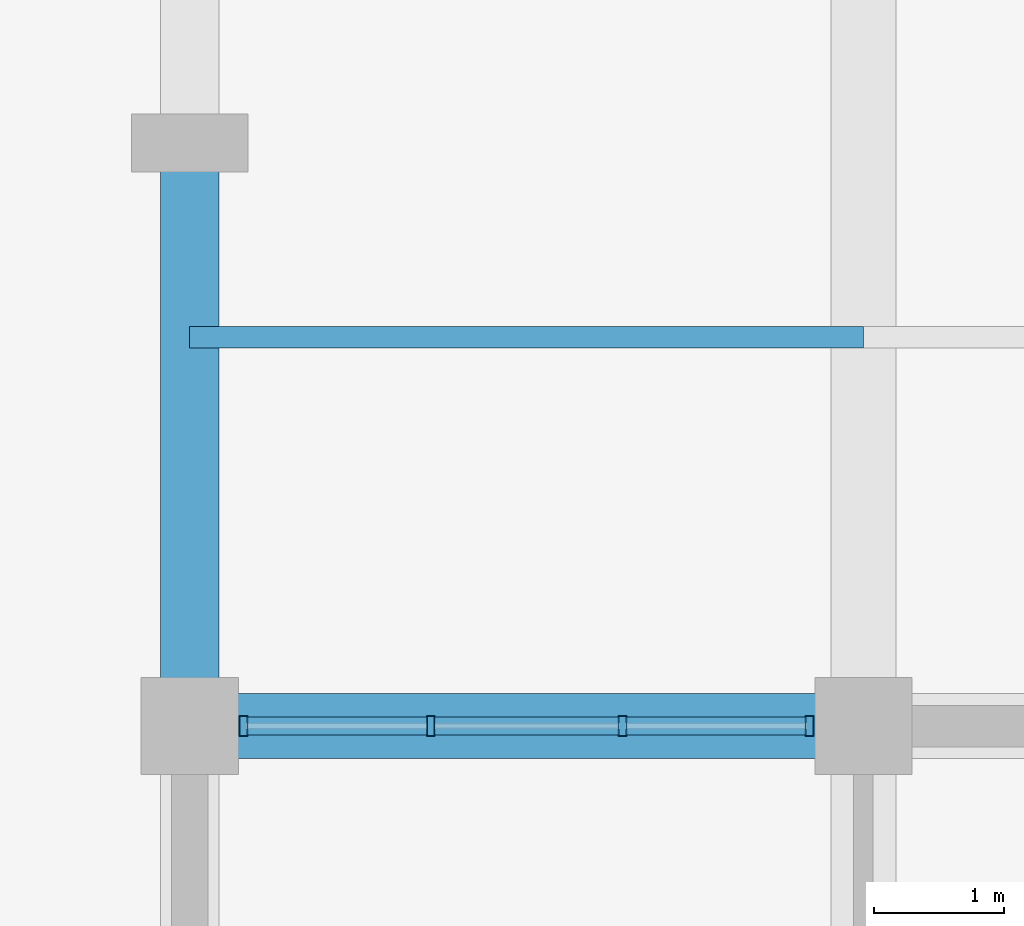
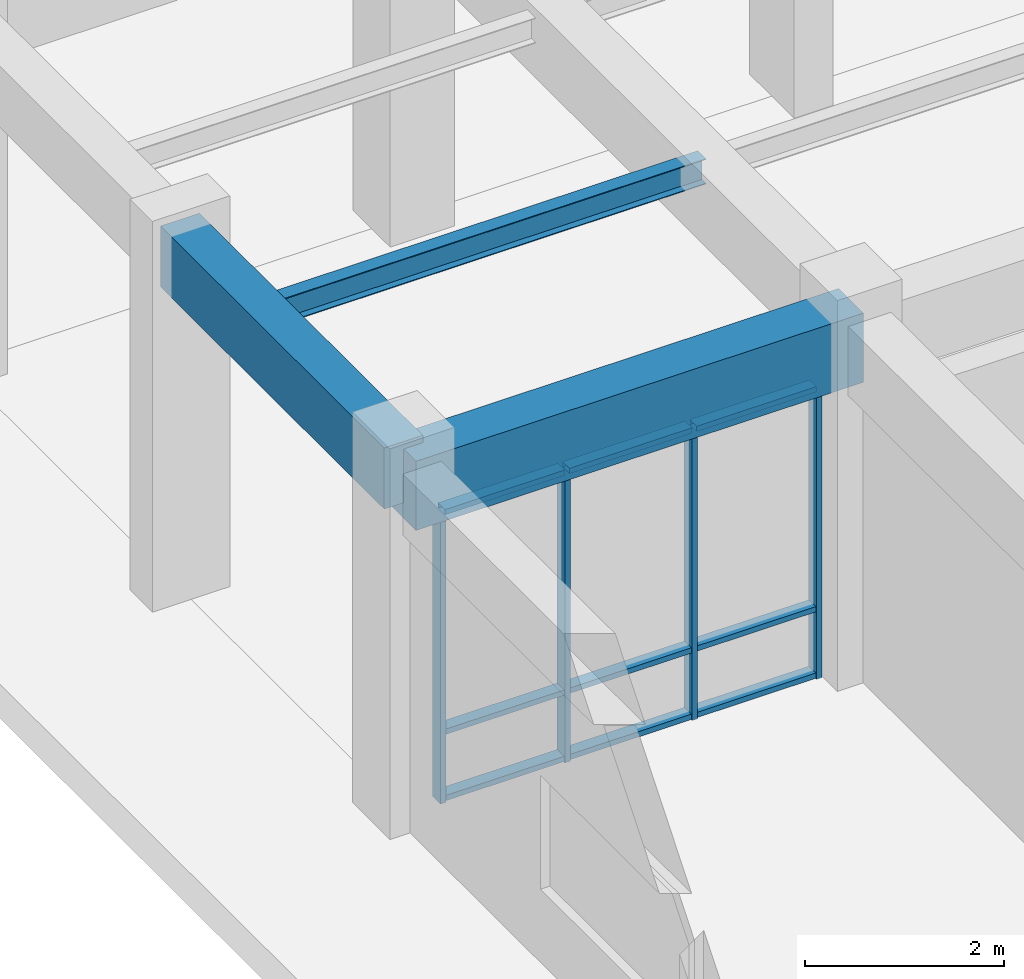
# One storey, part 6 of 47: 14 members, 2 beams, 1 element without a shape of its own.
"""IFC4 building model written with IfcOpenShell, lengths in metres."""

import ifcopenshell
import ifcopenshell.guid

model = None  # the IFC model being written
_history = None  # IfcOwnerHistory: only IFC2X3 demands one
_inside = {}  # id of a spatial element -> (the spatial element, [elements in it])
_under = {}  # id of a project, library or spatial element -> (it, [spatial elements below it])
_declared = {}  # id of a project -> (the project, [libraries it declares])
_typed = {}  # id of a type object -> (the type object, [elements of that type])
_made_of = {}  # id of a material, layer set ... -> (it, [elements and type objects made of it])


def new_model(schema):
    """Start an empty IFC model of exactly this schema.

    Asked for "IFC4X3", IfcOpenShell would pick the latest addendum, in which some entities
    have other attributes; the version numbers below select the first issue.
    IFC2X3 requires an IfcOwnerHistory on every rooted entity: one is made here for all.
    """
    global model, _history
    if schema == "IFC4X3":
        model = ifcopenshell.file(schema_version=(4, 3, 0, 0))
    else:
        model = ifcopenshell.file(schema=schema)
    _inside.clear()
    _under.clear()
    _declared.clear()
    _typed.clear()
    _made_of.clear()
    _history = None
    if model.schema == "IFC2X3":
        org = make("IfcOrganization", Name="unknown")
        user = make(
            "IfcPersonAndOrganization",
            ThePerson=make("IfcPerson", FamilyName="unknown"),
            TheOrganization=org,
        )
        app = make(
            "IfcApplication",
            ApplicationDeveloper=org,
            Version="unknown",
            ApplicationFullName="unknown",
            ApplicationIdentifier="unknown",
        )
        _history = make(
            "IfcOwnerHistory",
            OwningUser=user,
            OwningApplication=app,
            ChangeAction="ADDED",
            CreationDate=0,
        )
    return model


def make(cls, **values):
    """One entity of the class cls with the attributes given. An attribute that is None is left unset."""
    return model.create_entity(
        cls, **{name: value for name, value in values.items() if value is not None}
    )


def rooted(cls, **values):
    """An entity with a GlobalId (a new one), such as an element, a storey or a relation."""
    return make(cls, GlobalId=ifcopenshell.guid.new(), OwnerHistory=_history, **values)


def si_unit(unit_type, name, prefix=None):
    """IfcSIUnit, for example si_unit("LENGTHUNIT", "METRE", prefix="MILLI")."""
    return make("IfcSIUnit", UnitType=unit_type, Prefix=prefix, Name=name)


def assignment(units):
    """IfcUnitAssignment: the units of a project."""
    return None if units is None else make("IfcUnitAssignment", Units=units)


def point(xyz):
    """IfcCartesianPoint."""
    return None if xyz is None else make("IfcCartesianPoint", Coordinates=xyz)


def direction(xyz):
    """IfcDirection."""
    return None if xyz is None else make("IfcDirection", DirectionRatios=xyz)


def frame(location, z_axis=None, x_axis=None):
    """IfcAxis2Placement3D, a coordinate frame: its origin and axes. An axis left out is left unset."""
    return make(
        "IfcAxis2Placement3D",
        Location=point(location),
        Axis=direction(z_axis),
        RefDirection=direction(x_axis),
    )


def frame_2d(location, x_axis=None):
    """IfcAxis2Placement2D, a coordinate frame in the plane: its origin and x axis."""
    return make(
        "IfcAxis2Placement2D", Location=point(location), RefDirection=direction(x_axis)
    )


def origin():
    """The frame at (0, 0, 0) with its axes left unset."""
    return frame((0.0, 0.0, 0.0))


def origin_2d():
    """The frame at (0, 0) in the plane with its x axis left unset."""
    return frame_2d((0.0, 0.0))


def place(relative_to, where):
    """IfcLocalPlacement: puts the frame where relative to a parent placement (None: the world)."""
    return make(
        "IfcLocalPlacement", PlacementRelTo=relative_to, RelativePlacement=where
    )


def context(
    kind, dimensions, precision=None, world=None, true_north=None, identifier=None
):
    """IfcGeometricRepresentationContext, for example the 3D "Model" context."""
    return make(
        "IfcGeometricRepresentationContext",
        ContextIdentifier=identifier,
        ContextType=kind,
        CoordinateSpaceDimension=dimensions,
        Precision=precision,
        WorldCoordinateSystem=world,
        TrueNorth=true_north,
    )


def subcontext(parent, identifier, kind, view, scale=None):
    """IfcGeometricRepresentationSubContext, for example "Body" below "Model"."""
    return make(
        "IfcGeometricRepresentationSubContext",
        ContextIdentifier=identifier,
        ContextType=kind,
        ParentContext=parent,
        TargetScale=scale,
        TargetView=view,
    )


def project(units=None, contexts=None):
    """IfcProject with its units and contexts."""
    return rooted(
        "IfcProject",
        Name="project",
        RepresentationContexts=contexts,
        UnitsInContext=assignment(units),
    )


def spatial(cls, under=None, at=None, **own):
    """A site, building, storey or space (cls), placed at a placement, below another one or the project."""
    s = rooted(cls, ObjectPlacement=at, **own)
    if under is not None:
        _under.setdefault(under.id(), (under, []))[1].append(s)
    return s


def profile(cls, at=None, kind="AREA", **sizes):
    """A parametric profile (cls). Its sizes go by their IFC names, for example OverallWidth=200.0."""
    return make(cls, ProfileType=kind, Position=at, **sizes)


def rectangle(**sizes):
    """IfcRectangleProfileDef."""
    return profile("IfcRectangleProfileDef", **sizes)


def hollow_rectangle(**sizes):
    """IfcRectangleHollowProfileDef."""
    return profile("IfcRectangleHollowProfileDef", **sizes)


def i_section(**sizes):
    """IfcIShapeProfileDef."""
    return profile("IfcIShapeProfileDef", **sizes)


def extrude(swept, where, along, depth):
    """IfcExtrudedAreaSolid: the profile swept, set in the frame where, extruded along a direction by depth."""
    return make(
        "IfcExtrudedAreaSolid",
        SweptArea=swept,
        Position=where,
        ExtrudedDirection=direction(along),
        Depth=depth,
    )


def shape(context_of_items, identifier, shape_type, items):
    """IfcShapeRepresentation: the items that make up one representation, for example the "Body"."""
    return make(
        "IfcShapeRepresentation",
        ContextOfItems=context_of_items,
        RepresentationIdentifier=identifier,
        RepresentationType=shape_type,
        Items=items,
    )


def material(Name=None, Category=None):
    """IfcMaterial."""
    return make("IfcMaterial", Name=Name, Category=Category)


def layer(
    of_material, thickness, ventilated=None, Name=None, Category=None, Priority=None
):
    """IfcMaterialLayer: one layer of a wall or slab, of a material (None: an air gap)."""
    return make(
        "IfcMaterialLayer",
        Material=of_material,
        LayerThickness=thickness,
        IsVentilated=ventilated,
        Name=Name,
        Category=Category,
        Priority=Priority,
    )


def layer_set(layers, Name=None):
    """IfcMaterialLayerSet."""
    return make("IfcMaterialLayerSet", MaterialLayers=layers, LayerSetName=Name)


def material_profile(
    of_material, cross_section, Name=None, Category=None, Priority=None
):
    """IfcMaterialProfile: a cross section and its material."""
    return make(
        "IfcMaterialProfile",
        Name=Name,
        Material=of_material,
        Profile=cross_section,
        Priority=Priority,
        Category=Category,
    )


def profile_set(profiles, Name=None, composite=None):
    """IfcMaterialProfileSet."""
    return make(
        "IfcMaterialProfileSet",
        Name=Name,
        MaterialProfiles=profiles,
        CompositeProfile=composite,
    )


def made_of(thing, what):
    """Note that an element or type object is made of a material, layer set ...; save() writes the relation."""
    if what is not None:
        _made_of.setdefault(what.id(), (what, []))[1].append(thing)
    return thing


def type_object(cls, material=None, **own):
    """A type object (cls), such as IfcWallType, which elements share."""
    return made_of(rooted(cls, **own), material)


def element(
    cls,
    number,
    at=None,
    inside=None,
    cuts=None,
    type_object=None,
    material=None,
    context=None,
    identifier="Body",
    shape_type=None,
    held_by="IfcProductDefinitionShape",
    body=None,
    shapes=None,
    **own,
):
    """One element of the class cls, such as IfcWall. Its Tag is "e" and its number.

    at: its placement. inside: the storey or other place that contains it. cuts: it is an
    opening in that element (IfcRelVoidsElement). A single representation is given by context,
    identifier, shape_type and body (its items); several are given by shapes. held_by: the class
    of the entity that holds the representations. save() writes the other relations.
    """
    e = rooted(cls, Tag="e%d" % number, ObjectPlacement=at, **own)
    if body is not None:
        shapes = [shape(context, identifier, shape_type, body)]
    if shapes is not None:
        e.Representation = make(held_by, Representations=shapes)
    if inside is not None:
        _inside.setdefault(inside.id(), (inside, []))[1].append(e)
    if cuts is not None:
        rooted(
            "IfcRelVoidsElement", RelatingBuildingElement=cuts, RelatedOpeningElement=e
        )
    if type_object is not None:
        _typed.setdefault(type_object.id(), (type_object, []))[1].append(e)
    return made_of(e, material)


def aggregate(whole, parts):
    """IfcRelAggregates: a whole, such as a stair, and the parts it consists of."""
    return rooted("IfcRelAggregates", RelatingObject=whole, RelatedObjects=parts)


def save(model, path):
    """Write the relations noted so far, then the file.

    IfcRelAggregates (storeys below a building ...), IfcRelContainedInSpatialStructure (elements
    in a storey), IfcRelDefinesByType, IfcRelAssociatesMaterial and IfcRelDeclares: one each for
    every whole, place, type object, material and project.
    """
    for whole, parts in _under.values():
        aggregate(whole, parts)
    for where, things in _inside.values():
        rooted(
            "IfcRelContainedInSpatialStructure",
            RelatedElements=things,
            RelatingStructure=where,
        )
    for kind, things in _typed.values():
        rooted("IfcRelDefinesByType", RelatedObjects=things, RelatingType=kind)
    for what, things in _made_of.values():
        rooted("IfcRelAssociatesMaterial", RelatedObjects=things, RelatingMaterial=what)
    for by, libraries in _declared.values():
        rooted("IfcRelDeclares", RelatingContext=by, RelatedDefinitions=libraries)
    model.write(path)


model = new_model("IFC4")

# Units and contexts
model_context = context("Model", 3, precision=1e-05, world=origin(), true_north=direction((0.0, 1.0)))
body_context = subcontext(model_context, "Body", "Model", "MODEL_VIEW")
ifc_project = project(units=[si_unit("LENGTHUNIT", "METRE"), si_unit("AREAUNIT", "SQUARE_METRE"), si_unit("VOLUMEUNIT", "CUBIC_METRE"), si_unit("PLANEANGLEUNIT", "RADIAN"), si_unit("MASSUNIT", "GRAM", prefix="KILO")], contexts=[model_context])

# Site, building, storey
site_placement = place(None, origin())
site = spatial("IfcSite", under=ifc_project, at=site_placement, CompositionType="ELEMENT")
building_placement = place(site_placement, origin())
building = spatial("IfcBuilding", under=site, at=building_placement, Name="Ventoquebrada Cableway Terminal", CompositionType="ELEMENT")
storey_placement = place(building_placement, origin())
storey = spatial("IfcBuildingStorey", under=building, at=storey_placement, Name="L00", CompositionType="ELEMENT", Elevation=0.0)

# Beam
ifc_material_1 = material(Name="Concrete C40/50", Category="concrete")
ifc_material_profile_1 = material_profile(ifc_material_1, rectangle(XDim=0.5, YDim=0.85009765625, at=origin_2d()), Name="RC-BM-500X850")
ifc_profile_set_1 = profile_set([ifc_material_profile_1], Name="Concrete C40/50")
beam_type_1 = type_object("IfcBeamType", Name="BM-RC04", PredefinedType="BEAM", material=ifc_profile_set_1)
beam_1_placement = place(storey_placement, frame((3.0, 47.0, 4.014892578125), z_axis=(1.0, 0.0, 0.0), x_axis=(0.0, 1.0, 0.0)))
element("IfcBeam", 1, at=beam_1_placement, inside=storey, type_object=beam_type_1, Name="Primary frame girder FBM-0096", PredefinedType="BEAM", context=body_context, shape_type="SweptSolid", body=[
    extrude(rectangle(XDim=0.5, YDim=0.85009765625, at=origin_2d()), origin(), (0.0, 0.0, 1.0), 5.199951171875),
])

# Curtain wall, members
ifc_material_2 = material(Name="Anodized thermally-broken aluminium", Category="aluminium")
ifc_layer = layer(ifc_material_2, 0.159912109375)
ifc_layer_set = layer_set([ifc_layer], Name="Anodized thermally-broken aluminium")
curtain_wall_type = type_object("IfcCurtainWallType", Name="CW-T03", PredefinedType="USERDEFINED", material=ifc_layer_set)
curtain_wall_placement = place(storey_placement, origin())
curtain_wall = element("IfcCurtainWall", 2, at=curtain_wall_placement, inside=storey, type_object=curtain_wall_type, Name="Unitised glazed curtain wall CW-007", ObjectType="UNITISED CURTAIN WALL", PredefinedType="USERDEFINED")
ifc_material_profile_2 = material_profile(ifc_material_2, hollow_rectangle(XDim=0.06494140625, YDim=0.159912109375, WallThickness=0.00390625, at=origin_2d()), Name="CW-MUL-65X160")
ifc_profile_set_2 = profile_set([ifc_material_profile_2], Name="Anodized thermally-broken aluminium")
member_type_1 = type_object("IfcMemberType", Name="CWM-01", PredefinedType="MULLION", material=ifc_profile_set_2)
member_1_placement = place(storey_placement, frame((7.784912109375, 47.0, -0.008056640625), z_axis=(0.0, 0.0, 1.0), x_axis=(-1.0, 0.0, 0.0)))
member_1 = element("IfcMember", 3, at=member_1_placement, type_object=member_type_1, Name="Curtain wall mullion FML-0025", PredefinedType="MULLION", context=body_context, shape_type="SweptSolid", body=[
    extrude(hollow_rectangle(XDim=0.06494140625, YDim=0.159912109375, WallThickness=0.00390625, at=origin_2d()), origin(), (0.0, 0.0, 1.0), 3.59814453125),
])
member_2_placement = place(storey_placement, frame((6.340087890625, 47.0, -0.008056640625), z_axis=(0.0, 0.0, 1.0), x_axis=(-1.0, 0.0, 0.0)))
member_2 = element("IfcMember", 4, at=member_2_placement, type_object=member_type_1, Name="Curtain wall mullion FML-0026", PredefinedType="MULLION", context=body_context, shape_type="SweptSolid", body=[
    extrude(hollow_rectangle(XDim=0.06494140625, YDim=0.159912109375, WallThickness=0.00390625, at=origin_2d()), origin(), (0.0, 0.0, 1.0), 3.59814453125),
])
member_3_placement = place(storey_placement, frame((4.860107421875, 47.0, -0.008056640625), z_axis=(0.0, 0.0, 1.0), x_axis=(-1.0, 0.0, 0.0)))
member_3 = element("IfcMember", 5, at=member_3_placement, type_object=member_type_1, Name="Curtain wall mullion FML-0027", PredefinedType="MULLION", context=body_context, shape_type="SweptSolid", body=[
    extrude(hollow_rectangle(XDim=0.06494140625, YDim=0.159912109375, WallThickness=0.00390625, at=origin_2d()), origin(), (0.0, 0.0, 1.0), 3.59814453125),
])
member_4_placement = place(storey_placement, frame((3.4150390625, 47.0, -0.008056640625), z_axis=(0.0, 0.0, 1.0), x_axis=(-1.0, 0.0, 0.0)))
member_4 = element("IfcMember", 6, at=member_4_placement, type_object=member_type_1, Name="Curtain wall mullion FML-0028", PredefinedType="MULLION", context=body_context, shape_type="SweptSolid", body=[
    extrude(hollow_rectangle(XDim=0.06494140625, YDim=0.159912109375, WallThickness=0.00390625, at=origin_2d()), origin(), (0.0, 0.0, 1.0), 3.59814453125),
])
ifc_material_profile_3 = material_profile(ifc_material_2, hollow_rectangle(XDim=0.06494140625, YDim=0.139892578125, WallThickness=0.00390625, at=origin_2d()), Name="CW-TRN-65X140")
ifc_profile_set_3 = profile_set([ifc_material_profile_3], Name="Anodized thermally-broken aluminium")
member_type_2 = type_object("IfcMemberType", Name="CWT-01", PredefinedType="USERDEFINED", material=ifc_profile_set_3)
member_5_placement = place(storey_placement, frame((7.758056640625, 47.0, 0.034912109375), z_axis=(-1.0, 0.0, 0.0), x_axis=(0.0, 0.0, 1.0)))
member_5 = element("IfcMember", 7, at=member_5_placement, type_object=member_type_2, Name="Curtain wall transom FTR-0073", ObjectType="TRANSOM", PredefinedType="USERDEFINED", context=body_context, shape_type="SweptSolid", body=[
    extrude(hollow_rectangle(XDim=0.06494140625, YDim=0.139892578125, WallThickness=0.00390625, at=origin_2d()), origin(), (0.0, 0.0, 1.0), 1.39111328125),
])
member_6_placement = place(storey_placement, frame((7.758056640625, 47.0, 0.85009765625), z_axis=(-1.0, 0.0, 0.0), x_axis=(0.0, 0.0, 1.0)))
member_6 = element("IfcMember", 8, at=member_6_placement, type_object=member_type_2, Name="Curtain wall transom FTR-0074", ObjectType="TRANSOM", PredefinedType="USERDEFINED", context=body_context, shape_type="SweptSolid", body=[
    extrude(hollow_rectangle(XDim=0.06494140625, YDim=0.139892578125, WallThickness=0.00390625, at=origin_2d()), origin(), (0.0, 0.0, 1.0), 1.39111328125),
])
member_7_placement = place(storey_placement, frame((7.758056640625, 47.0, 3.550048828125), z_axis=(-1.0, 0.0, 0.0), x_axis=(0.0, 0.0, 1.0)))
member_7 = element("IfcMember", 9, at=member_7_placement, type_object=member_type_2, Name="Curtain wall transom FTR-0075", ObjectType="TRANSOM", PredefinedType="USERDEFINED", context=body_context, shape_type="SweptSolid", body=[
    extrude(hollow_rectangle(XDim=0.06494140625, YDim=0.139892578125, WallThickness=0.00390625, at=origin_2d()), origin(), (0.0, 0.0, 1.0), 1.39111328125),
])
member_8_placement = place(storey_placement, frame((6.31201171875, 47.0, 0.034912109375), z_axis=(-1.0, 0.0, 0.0), x_axis=(0.0, 0.0, 1.0)))
member_8 = element("IfcMember", 10, at=member_8_placement, type_object=member_type_2, Name="Curtain wall transom FTR-0076", ObjectType="TRANSOM", PredefinedType="USERDEFINED", context=body_context, shape_type="SweptSolid", body=[
    extrude(hollow_rectangle(XDim=0.06494140625, YDim=0.139892578125, WallThickness=0.00390625, at=origin_2d()), origin(), (0.0, 0.0, 1.0), 1.424072265625),
])
member_9_placement = place(storey_placement, frame((6.31201171875, 47.0, 0.85009765625), z_axis=(-1.0, 0.0, 0.0), x_axis=(0.0, 0.0, 1.0)))
member_9 = element("IfcMember", 11, at=member_9_placement, type_object=member_type_2, Name="Curtain wall transom FTR-0077", ObjectType="TRANSOM", PredefinedType="USERDEFINED", context=body_context, shape_type="SweptSolid", body=[
    extrude(hollow_rectangle(XDim=0.06494140625, YDim=0.139892578125, WallThickness=0.00390625, at=origin_2d()), origin(), (0.0, 0.0, 1.0), 1.424072265625),
])
member_10_placement = place(storey_placement, frame((6.31201171875, 47.0, 3.550048828125), z_axis=(-1.0, 0.0, 0.0), x_axis=(0.0, 0.0, 1.0)))
member_10 = element("IfcMember", 12, at=member_10_placement, type_object=member_type_2, Name="Curtain wall transom FTR-0078", ObjectType="TRANSOM", PredefinedType="USERDEFINED", context=body_context, shape_type="SweptSolid", body=[
    extrude(hollow_rectangle(XDim=0.06494140625, YDim=0.139892578125, WallThickness=0.00390625, at=origin_2d()), origin(), (0.0, 0.0, 1.0), 1.424072265625),
])
member_11_placement = place(storey_placement, frame((4.83203125, 47.0, 0.034912109375), z_axis=(-1.0, 0.0, 0.0), x_axis=(0.0, 0.0, 1.0)))
member_11 = element("IfcMember", 13, at=member_11_placement, type_object=member_type_2, Name="Curtain wall transom FTR-0079", ObjectType="TRANSOM", PredefinedType="USERDEFINED", context=body_context, shape_type="SweptSolid", body=[
    extrude(hollow_rectangle(XDim=0.06494140625, YDim=0.139892578125, WallThickness=0.00390625, at=origin_2d()), origin(), (0.0, 0.0, 1.0), 1.39013671875),
])
member_12_placement = place(storey_placement, frame((4.83203125, 47.0, 0.85009765625), z_axis=(-1.0, 0.0, 0.0), x_axis=(0.0, 0.0, 1.0)))
member_12 = element("IfcMember", 14, at=member_12_placement, type_object=member_type_2, Name="Curtain wall transom FTR-0080", ObjectType="TRANSOM", PredefinedType="USERDEFINED", context=body_context, shape_type="SweptSolid", body=[
    extrude(hollow_rectangle(XDim=0.06494140625, YDim=0.139892578125, WallThickness=0.00390625, at=origin_2d()), origin(), (0.0, 0.0, 1.0), 1.39013671875),
])
member_13_placement = place(storey_placement, frame((4.83203125, 47.0, 3.550048828125), z_axis=(-1.0, 0.0, 0.0), x_axis=(0.0, 0.0, 1.0)))
member_13 = element("IfcMember", 15, at=member_13_placement, type_object=member_type_2, Name="Curtain wall transom FTR-0081", ObjectType="TRANSOM", PredefinedType="USERDEFINED", context=body_context, shape_type="SweptSolid", body=[
    extrude(hollow_rectangle(XDim=0.06494140625, YDim=0.139892578125, WallThickness=0.00390625, at=origin_2d()), origin(), (0.0, 0.0, 1.0), 1.39013671875),
])
aggregate(curtain_wall, [member_1, member_2, member_3, member_4, member_5, member_6, member_7, member_8, member_9, member_10, member_11, member_12, member_13])

# Member
ifc_material_3 = material(Name="Steel ASTM A992 Grade 50", Category="steel")
ifc_material_profile_4 = material_profile(ifc_material_3, i_section(OverallWidth=0.1650390625, OverallDepth=0.31005859375, WebThickness=0.005859375, FlangeThickness=0.009765625, at=origin_2d()), Name="W12X26")
ifc_profile_set_4 = profile_set([ifc_material_profile_4], Name="Steel ASTM A992 Grade 50")
member_type_3 = type_object("IfcMemberType", Name="PUR-RF05", PredefinedType="PURLIN", material=ifc_profile_set_4)
member_14_placement = place(storey_placement, frame((3.0, 50.0, 4.260009765625), z_axis=(1.0, 0.0, 0.0), x_axis=(0.0, 1.0, 0.0)))
element("IfcMember", 16, at=member_14_placement, inside=storey, type_object=member_type_3, Name="Roof support purlin RPR-0465", PredefinedType="PURLIN", context=body_context, shape_type="SweptSolid", body=[
    extrude(i_section(OverallWidth=0.1650390625, OverallDepth=0.31005859375, WebThickness=0.005859375, FlangeThickness=0.009765625, at=origin_2d()), origin(), (0.0, 0.0, 1.0), 5.199951171875),
])

# Beam
ifc_material_profile_5 = material_profile(ifc_material_1, rectangle(XDim=0.449951171875, YDim=0.75, at=origin_2d()), Name="RC-BM-450X750")
ifc_profile_set_5 = profile_set([ifc_material_profile_5], Name="Concrete C40/50")
beam_type_2 = type_object("IfcBeamType", Name="SP-RC02", PredefinedType="SPANDREL", material=ifc_profile_set_5)
beam_2_placement = place(storey_placement, frame((3.0, 47.0, 4.155029296875), z_axis=(0.0, 1.0, 0.0), x_axis=(-1.0, 0.0, 0.0)))
element("IfcBeam", 17, at=beam_2_placement, inside=storey, type_object=beam_type_2, Name="Perimeter spandrel beam FBM-0115", PredefinedType="SPANDREL", context=body_context, shape_type="SweptSolid", body=[
    extrude(rectangle(XDim=0.449951171875, YDim=0.75, at=origin_2d()), origin(), (0.0, 0.0, 1.0), 4.5),
])

save(model, "model.ifc")
